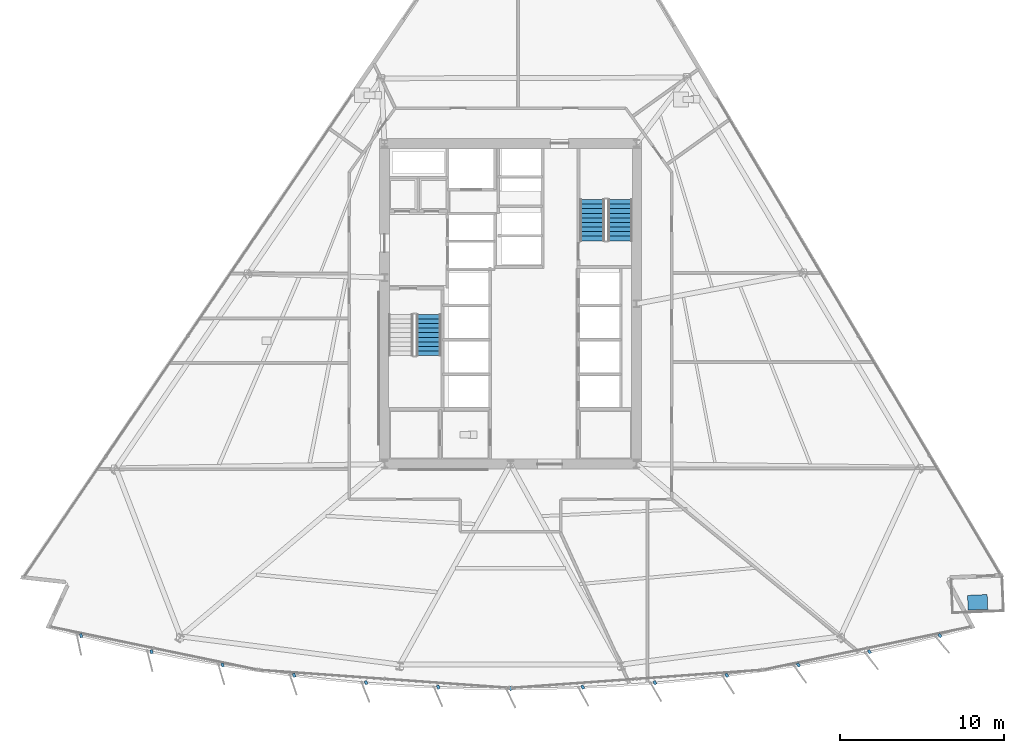
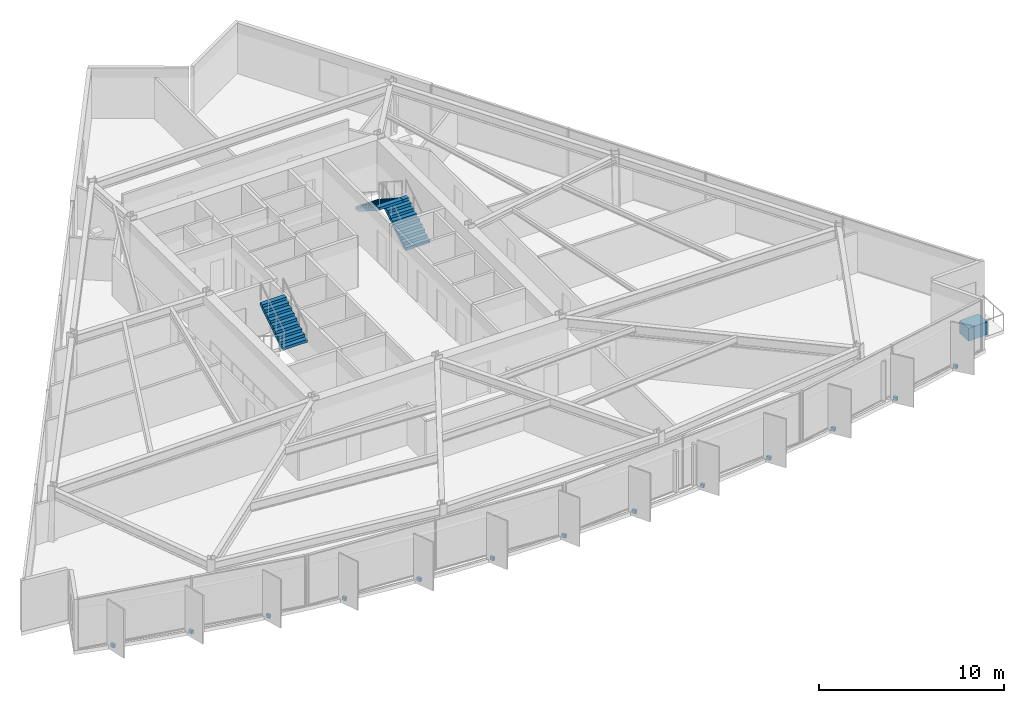
# One storey, part 11 of 16: 14 discrete accessories, 3 stair flights, 2 elements without a shape of their own.
"""IFC4 building model written with IfcOpenShell, lengths in metres."""

from ifc_helpers import new_model, si_unit, direction, frame, origin, origin_2d, place, context, subcontext, project, spatial, polyline, rectangle, outline, extrude, material, type_object, element, aggregate, save


model = new_model("IFC4")

# Units and contexts
model_context = context("Model", 3, precision=1e-05, world=origin(), true_north=direction((0.0, 1.0)))
body_context = subcontext(model_context, "Body", "Model", "MODEL_VIEW")
ifc_project = project(units=[si_unit("LENGTHUNIT", "METRE"), si_unit("AREAUNIT", "SQUARE_METRE"), si_unit("VOLUMEUNIT", "CUBIC_METRE"), si_unit("PLANEANGLEUNIT", "RADIAN"), si_unit("MASSUNIT", "GRAM", prefix="KILO")], contexts=[model_context])

# Site, building, storey
site_placement = place(None, origin())
site = spatial("IfcSite", under=ifc_project, at=site_placement, CompositionType="ELEMENT")
building_placement = place(site_placement, origin())
building = spatial("IfcBuilding", under=site, at=building_placement, Name="Savorim Split Tower", CompositionType="ELEMENT")
storey_placement = place(building_placement, frame((0.0, 0.0, 33.60009765625)))
storey = spatial("IfcBuildingStorey", under=building, at=storey_placement, Name="L08", CompositionType="ELEMENT", Elevation=33.60009765625)

# Stair, stair flight
ifc_material_1 = material(Name="Concrete C50/60", Category="concrete")
stair_type = type_object("IfcStairType", Name="STR-DOG-3600", PredefinedType="HALF_TURN_STAIR", material=ifc_material_1)
stair_1_placement = place(storey_placement, origin())
stair_1 = element("IfcStair", 1, at=stair_1_placement, inside=storey, type_object=stair_type, Name="L08 Core Protected Exit Stair ST-1", PredefinedType="HALF_TURN_STAIR")
stair_flight_type = type_object("IfcStairFlightType", Name="SFL-DOG-3600", PredefinedType="STRAIGHT", material=ifc_material_1)
stair_flight_1_placement = place(storey_placement, frame((-5.0, -2.77001953125, 1.7998046875), z_axis=(0.0, 0.0, 1.0), x_axis=(0.0, 1.0, 0.0)))
stair_flight_1 = element("IfcStairFlight", 2, at=stair_flight_1_placement, type_object=stair_flight_type, Name="ST-1 flight 2", NumberOfRisers=10, NumberOfTreads=9, PredefinedType="STRAIGHT", RiserHeight=0.18, TreadLength=0.28, context=body_context, shape_type="SweptSolid", body=[
    extrude(outline(polyline([(0.0, 0.0), (0.0, 0.179931640625), (0.280029296875, 0.179931640625), (0.280029296875, 0.360107421875), (0.56005859375, 0.360107421875), (0.56005859375, 0.5400390625), (0.840087890625, 0.5400390625), (0.840087890625, 0.719970703125), (1.1201171875, 0.719970703125), (1.1201171875, 0.89990234375), (1.39990234375, 0.89990234375), (1.39990234375, 1.080078125), (1.679931640625, 1.080078125), (1.679931640625, 1.260009765625), (1.9599609375, 1.260009765625), (1.9599609375, 1.43994140625), (2.239990234375, 1.43994140625), (2.239990234375, 1.6201171875), (2.52001953125, 1.6201171875), (2.52001953125, 1.800048828125), (2.52001953125, 1.44189453125), (0.277099609375, 0.0), (0.0, 0.0)])), frame((0.0, 0.75, 0.0), z_axis=(0.0, -1.0, 0.0), x_axis=(1.0, 0.0, 0.0)), (0.0, 0.0, 1.0), 1.5),
])
aggregate(stair_1, [stair_flight_1])

# Stair, stair flights
stair_2_placement = place(storey_placement, origin())
stair_2 = element("IfcStair", 3, at=stair_2_placement, inside=storey, type_object=stair_type, Name="L08 Core Protected Exit Stair ST-2", PredefinedType="HALF_TURN_STAIR")
stair_flight_2_placement = place(storey_placement, frame((6.699951171875, 4.25, 0.0), z_axis=(0.0, 0.0, 1.0), x_axis=(0.0, 1.0, 0.0)))
stair_flight_2 = element("IfcStairFlight", 4, at=stair_flight_2_placement, type_object=stair_flight_type, Name="ST-2 flight 1", NumberOfRisers=10, NumberOfTreads=9, PredefinedType="STRAIGHT", RiserHeight=0.18, TreadLength=0.28, context=body_context, shape_type="SweptSolid", body=[
    extrude(outline(polyline([(0.0, 0.0), (0.0, 0.179931640625), (0.280029296875, 0.179931640625), (0.280029296875, 0.360107421875), (0.56005859375, 0.360107421875), (0.56005859375, 0.5400390625), (0.840087890625, 0.5400390625), (0.840087890625, 0.719970703125), (1.1201171875, 0.719970703125), (1.1201171875, 0.89990234375), (1.39990234375, 0.89990234375), (1.39990234375, 1.080078125), (1.679931640625, 1.080078125), (1.679931640625, 1.260009765625), (1.9599609375, 1.260009765625), (1.9599609375, 1.43994140625), (2.239990234375, 1.43994140625), (2.239990234375, 1.6201171875), (2.52001953125, 1.6201171875), (2.52001953125, 1.800048828125), (2.52001953125, 1.44189453125), (0.277099609375, 0.0), (0.0, 0.0)])), frame((0.0, 0.75, 0.0), z_axis=(0.0, -1.0, 0.0), x_axis=(1.0, 0.0, 0.0)), (0.0, 0.0, 1.0), 1.5),
])
stair_flight_3_placement = place(storey_placement, frame((5.0, 6.77001953125, 1.7998046875), z_axis=(0.0, 0.0, 1.0), x_axis=(0.0, -1.0, 0.0)))
stair_flight_3 = element("IfcStairFlight", 5, at=stair_flight_3_placement, type_object=stair_flight_type, Name="ST-2 flight 2", NumberOfRisers=10, NumberOfTreads=9, PredefinedType="STRAIGHT", RiserHeight=0.18, TreadLength=0.28, context=body_context, shape_type="SweptSolid", body=[
    extrude(outline(polyline([(0.0, 0.0), (0.0, 0.179931640625), (0.280029296875, 0.179931640625), (0.280029296875, 0.360107421875), (0.56005859375, 0.360107421875), (0.56005859375, 0.5400390625), (0.840087890625, 0.5400390625), (0.840087890625, 0.719970703125), (1.1201171875, 0.719970703125), (1.1201171875, 0.89990234375), (1.39990234375, 0.89990234375), (1.39990234375, 1.080078125), (1.679931640625, 1.080078125), (1.679931640625, 1.260009765625), (1.9599609375, 1.260009765625), (1.9599609375, 1.43994140625), (2.239990234375, 1.43994140625), (2.239990234375, 1.6201171875), (2.52001953125, 1.6201171875), (2.52001953125, 1.800048828125), (2.52001953125, 1.44189453125), (0.277099609375, 0.0), (0.0, 0.0)])), frame((0.0, 0.75, 0.0), z_axis=(0.0, -1.0, 0.0), x_axis=(1.0, 0.0, 0.0)), (0.0, 0.0, 1.0), 1.5),
])
aggregate(stair_2, [stair_flight_2, stair_flight_3])

# Discrete accessories
ifc_material_2 = material(Name="Steel S355", Category="steel")
discrete_accessory_type_1 = type_object("IfcDiscreteAccessoryType", Name="ACC-BRK-FIN", PredefinedType="BRACKET", material=ifc_material_2)
for number, where, z_axis, x_axis, name in (
    (6, (-26.241943359375, -19.881591796875, -0.18994140625), (0.0, 0.0, 1.0), (0.206721626106, -0.978399800337, 0.0), "L08 Fin Slab-Edge Cleat Bracket 01"),
    (7, (-21.935791015625, -20.86767578125, -0.18994140625), (0.0, 0.0, 1.0), (0.246581250663, -0.969122121727, 0.0), "L08 Fin Slab-Edge Cleat Bracket 02"),
    (8, (-17.593017578125, -21.6767578125, -0.18994140625), (0.0, 0.0, 1.0), (0.286026212504, -0.958221793616, 0.0), "L08 Fin Slab-Edge Cleat Bracket 03"),
    (9, (-13.220458984375, -22.307373046875, -0.18994140625), (0.0, 0.0, 1.0), (0.324993810493, -0.945716143005, 0.0), "L08 Fin Slab-Edge Cleat Bracket 04"),
    (10, (-8.825927734375, -22.758544921875, -0.18994140625), (0.0, 0.0, 1.0), (0.363415461732, -0.931627179817, 0.0), "L08 Fin Slab-Edge Cleat Bracket 05"),
    (11, (-4.416748046875, -23.029541015625, -0.18994140625), (0.0, 0.0, 1.0), (0.401230091723, -0.915977299662, 0.0), "L08 Fin Slab-Edge Cleat Bracket 06"),
    (12, (0.0, -23.1201171875, -0.18994140625), (0.0, 0.0, 1.0), (0.438371146789, -0.898794046299, 0.0), "L08 Fin Slab-Edge Cleat Bracket 07"),
    (13, (4.416748046875, -23.029541015625, -0.18994140625), (0.0, 0.0, 1.0), (0.474778051978, -0.880105562623, 0.0), "L08 Fin Slab-Edge Cleat Bracket 08"),
    (14, (8.825927734375, -22.758544921875, -0.18994140625), (0.0, 0.0, 1.0), (0.510391336723, -0.859942255851, 0.0), "L08 Fin Slab-Edge Cleat Bracket 09"),
    (15, (13.220458984375, -22.307373046875, -0.18994140625), (0.0, 0.0, 1.0), (0.545148321708, -0.838339613366, 0.0), "L08 Fin Slab-Edge Cleat Bracket 10"),
    (16, (17.593017578125, -21.6767578125, -0.18994140625), (0.0, 0.0, 1.0), (0.578993757737, -0.815331974414, 0.0), "L08 Fin Slab-Edge Cleat Bracket 11"),
    (17, (21.935791015625, -20.86767578125, -0.18994140625), (0.0, 0.0, 1.0), (0.611868076908, -0.790959832394, 0.0), "L08 Fin Slab-Edge Cleat Bracket 12"),
    (18, (26.241943359375, -19.881591796875, -0.18994140625), (0.0, 0.0, 1.0), (0.643719022682, -0.765261928909, 0.0), "L08 Fin Slab-Edge Cleat Bracket 13"),
):
    element("IfcDiscreteAccessory", number, at=place(storey_placement, frame(where, z_axis=z_axis, x_axis=x_axis)), inside=storey, type_object=discrete_accessory_type_1, Name=name, PredefinedType="BRACKET", context=body_context, shape_type="SweptSolid", body=[
        extrude(rectangle(XDim=0.239990234375, YDim=0.159912109375, at=origin_2d()), origin(), (0.0, 0.0, 1.0), 0.219970703125),
    ])
ifc_material_3 = material(Name="Architectural Precast Planter Concrete C40/50", Category="concrete")
discrete_accessory_type_2 = type_object("IfcDiscreteAccessoryType", Name="ACC-PLN-TREE", PredefinedType="USERDEFINED", material=ifc_material_3)
discrete_accessory_placement = place(storey_placement, frame((28.550537109375, -17.845458984375, -0.000244140625), z_axis=(0.0, 0.0, 1.0), x_axis=(0.999095876483, 0.04251387532, 0.0)))
element("IfcDiscreteAccessory", 19, at=discrete_accessory_placement, inside=storey, type_object=discrete_accessory_type_2, Name="L08 Balcony Precast Tree Planter SE", ObjectType="PLANTER", PredefinedType="USERDEFINED", context=body_context, shape_type="SweptSolid", body=[
    extrude(rectangle(XDim=1.199951171875, YDim=0.89990234375, at=origin_2d()), origin(), (0.0, 0.0, 1.0), 0.85009765625),
])

save(model, "model.ifc")
